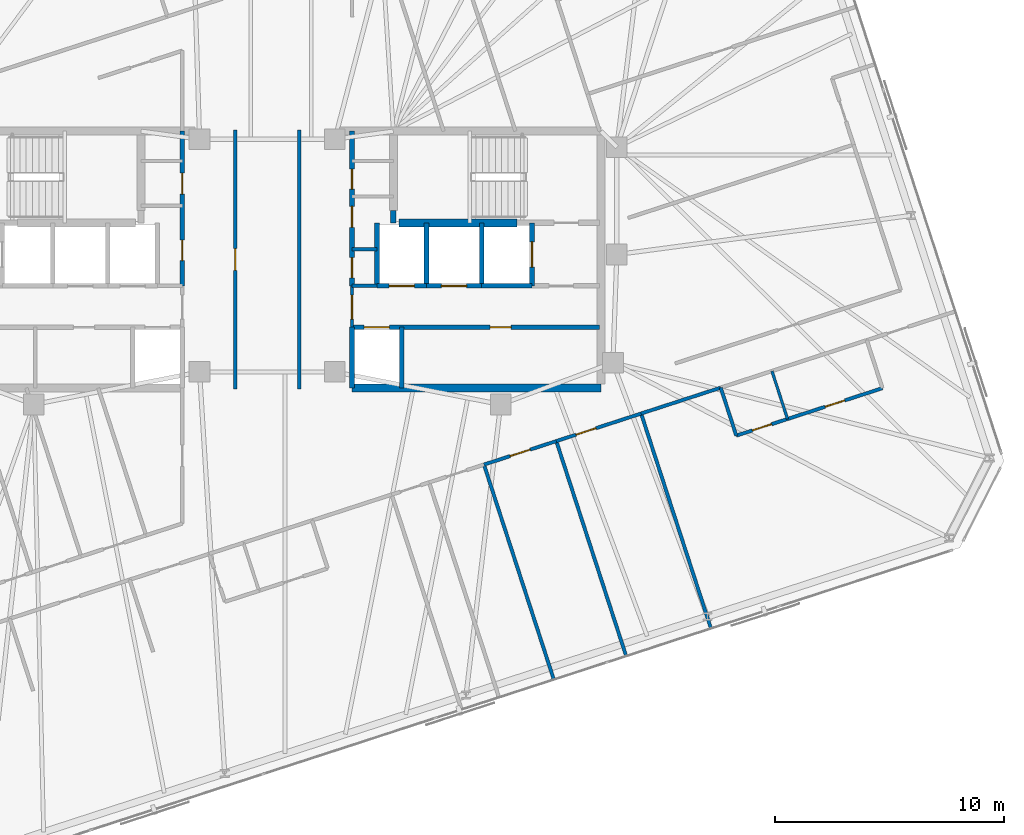
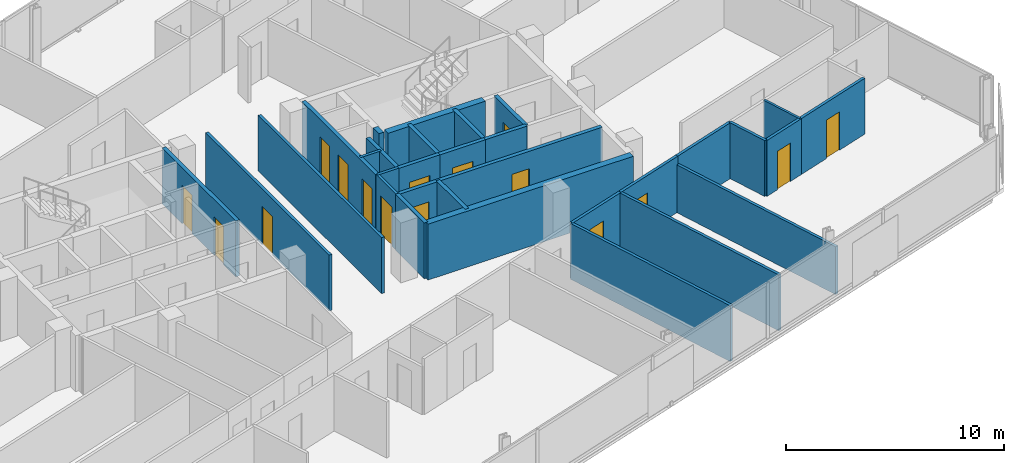
# One storey, part 15 of 19: 30 walls, 16 doors, 16 openings.
"""IFC4 building model written with IfcOpenShell, lengths in metres."""

from ifc_helpers import new_model, si_unit, direction, frame, frame_2d, origin, place, context, subcontext, project, spatial, rectangle, extrude, material, layer, layer_set, type_object, element, fill, save


model = new_model("IFC4")

# Units and contexts
model_context = context("Model", 3, precision=1e-05, world=origin(), true_north=direction((0.0, 1.0)))
body_context = subcontext(model_context, "Body", "Model", "MODEL_VIEW")
ifc_project = project(units=[si_unit("LENGTHUNIT", "METRE"), si_unit("AREAUNIT", "SQUARE_METRE"), si_unit("VOLUMEUNIT", "CUBIC_METRE"), si_unit("PLANEANGLEUNIT", "RADIAN"), si_unit("MASSUNIT", "GRAM", prefix="KILO")], contexts=[model_context])

# Site, building, storey
site_placement = place(None, origin())
site = spatial("IfcSite", under=ifc_project, at=site_placement, CompositionType="ELEMENT")
building_placement = place(site_placement, origin())
building = spatial("IfcBuilding", under=site, at=building_placement, Name="Menara Jurai Vektor", CompositionType="ELEMENT")
storey_placement = place(building_placement, frame((0.0, 0.0, 234.35009765625)))
storey = spatial("IfcBuildingStorey", under=building, at=storey_placement, Name="L62", CompositionType="ELEMENT", Elevation=234.35009765625)

# Wall
ifc_material_1 = material(Name="Concrete C40/50", Category="concrete")
ifc_layer_1 = layer(ifc_material_1, 0.25)
ifc_layer_set_1 = layer_set([ifc_layer_1], Name="Concrete C40/50")
wall_type_1 = type_object("IfcWallType", Name="INT-WALL-CORE-250", PredefinedType="STANDARD", material=ifc_layer_set_1)
wall_1_placement = place(storey_placement, frame((5.5, 1.60009765625, 0.0), z_axis=(0.0, 0.0, 1.0), x_axis=(0.0, 1.0, 0.0)))
element("IfcWall", 1, at=wall_1_placement, inside=storey, type_object=wall_type_1, Name="Interior Wall IW-250 L62", PredefinedType="STANDARD", context=body_context, shape_type="SweptSolid", body=[
    extrude(rectangle(XDim=0.5498046875, YDim=0.25, at=frame_2d((0.27490234375, 0.0))), origin(), (0.0, 0.0, 1.0), 3.125),
])

# Wall, opening, door
wall_2_placement = place(storey_placement, frame((11.550048828125, -1.14990234375, 0.0), z_axis=(0.0, 0.0, 1.0), x_axis=(0.0, 1.0, 0.0)))
wall_2 = element("IfcWall", 2, at=wall_2_placement, inside=storey, type_object=wall_type_1, Name="Interior Wall IW-250 L62", PredefinedType="STANDARD", context=body_context, shape_type="SweptSolid", body=[
    extrude(rectangle(XDim=2.75, YDim=0.199951171875, at=frame_2d((1.375, 0.0))), origin(), (0.0, 0.0, 1.0), 3.125),
])
opening_1_placement = place(wall_2_placement, frame((0.824951171875, 0.0, 0.0)))
opening_1 = element("IfcOpeningElement", 3, at=opening_1_placement, cuts=wall_2, Name="Opening LD-L62-FL2", PredefinedType="OPENING", context=body_context, shape_type="SweptSolid", body=[
    extrude(rectangle(XDim=1.10009765625, YDim=2.14990234375, at=frame_2d((0.550048828125, 1.074951171875))), frame((0.0, 0.10986328125, 0.0), z_axis=(0.0, -1.0, 0.0), x_axis=(1.0, 0.0, 0.0)), (0.0, 0.0, 1.0), 0.219970703125),
])
ifc_material_2 = material(Name="Stainless Steel Sliding Lift Landing Door", Category="steel")
door_type_1 = type_object("IfcDoorType", Name="DR-LIFT-FIRE-1100", OperationType="NOTDEFINED", PredefinedType="DOOR", material=ifc_material_2)
door_1_placement = place(opening_1_placement, origin())
door_1 = element("IfcDoor", 4, at=door_1_placement, inside=storey, type_object=door_type_1, Name="Lift Landing Door FL2 L62", OperationType="SLIDING_TO_RIGHT", OverallHeight=2.14990234375, OverallWidth=1.10009765625, PredefinedType="DOOR", context=body_context, shape_type="SweptSolid", body=[
    extrude(rectangle(XDim=1.10009765625, YDim=2.14990234375, at=frame_2d((0.550048828125, 1.074951171875))), frame((0.0, 0.02490234375, 0.0), z_axis=(0.0, -1.0, 0.0), x_axis=(1.0, 0.0, 0.0)), (0.0, 0.0, 1.0), 0.050048828125),
])
fill(opening_1, door_1)

# Walls
wall_3_placement = place(storey_placement, frame((9.35009765625, -1.14990234375, 0.0), z_axis=(0.0, 0.0, 1.0), x_axis=(0.0, 1.0, 0.0)))
element("IfcWall", 5, at=wall_3_placement, inside=storey, type_object=wall_type_1, Name="Interior Wall IW-250 L62", PredefinedType="STANDARD", context=body_context, shape_type="SweptSolid", body=[
    extrude(rectangle(XDim=2.75, YDim=0.199951171875, at=frame_2d((1.375, 0.0))), origin(), (0.0, 0.0, 1.0), 3.125),
])
wall_4_placement = place(storey_placement, frame((9.35009765625, -1.14990234375, 0.0), z_axis=(0.0, 0.0, 1.0), x_axis=(1.0, 0.0, 0.0)))
element("IfcWall", 6, at=wall_4_placement, inside=storey, type_object=wall_type_1, Name="Interior Wall IW-250 L62", PredefinedType="STANDARD", context=body_context, shape_type="SweptSolid", body=[
    extrude(rectangle(XDim=2.199951171875, YDim=0.199951171875, at=frame_2d((1.10009765625, 0.0))), origin(), (0.0, 0.0, 1.0), 3.125),
])

# Wall, opening, door
ifc_material_3 = material(Name="Gypsum Fireboard Partition", Category="gypsum")
ifc_layer_2 = layer(ifc_material_3, 0.14990234375)
ifc_layer_set_2 = layer_set([ifc_layer_2], Name="Gypsum Fireboard Partition")
wall_type_2 = type_object("IfcWallType", Name="INT-WALL-CORR-150", PredefinedType="PARTITIONING", material=ifc_layer_set_2)
wall_5_placement = place(storey_placement, frame((3.699951171875, -2.949951171875, 0.0), z_axis=(0.0, 0.0, 1.0), x_axis=(0.0, 1.0, 0.0)))
wall_5 = element("IfcWall", 7, at=wall_5_placement, inside=storey, type_object=wall_type_2, Name="Interior Wall IW-150 L62", PredefinedType="PARTITIONING", context=body_context, shape_type="SweptSolid", body=[
    extrude(rectangle(XDim=1.800048828125, YDim=0.14990234375, at=frame_2d((0.89990234375, 0.0))), origin(), (0.0, 0.0, 1.0), 3.125),
])
opening_2_placement = place(wall_5_placement, frame((0.35009765625, 0.0, 0.0)))
opening_2 = element("IfcOpeningElement", 8, at=opening_2_placement, cuts=wall_5, Name="Opening D-L62-LLE", PredefinedType="OPENING", context=body_context, shape_type="SweptSolid", body=[
    extrude(rectangle(XDim=1.050048828125, YDim=2.179931640625, at=frame_2d((0.52490234375, 1.08984375))), frame((0.0, 0.0849609375, 0.0), z_axis=(0.0, -1.0, 0.0), x_axis=(1.0, 0.0, 0.0)), (0.0, 0.0, 1.0), 0.169921875),
])
ifc_material_4 = material(Name="Fire-Rated Timber Door", Category="wood")
door_type_2 = type_object("IfcDoorType", Name="DR-LOBBY-1050", OperationType="NOTDEFINED", PredefinedType="DOOR", material=ifc_material_4)
door_2_placement = place(opening_2_placement, frame((1.050048828125, 0.0, 0.0), z_axis=(0.0, 0.0, 1.0), x_axis=(-1.0, 0.0, 0.0)))
door_2 = element("IfcDoor", 9, at=door_2_placement, inside=storey, type_object=door_type_2, Name="Lift Lobby Corridor Door E L62", OperationType="SINGLE_SWING_RIGHT", OverallHeight=2.179931640625, OverallWidth=1.050048828125, PredefinedType="DOOR", context=body_context, shape_type="SweptSolid", body=[
    extrude(rectangle(XDim=1.050048828125, YDim=2.179931640625, at=frame_2d((0.52490234375, 1.08984375))), frame((0.0, 0.02490234375, 0.0), z_axis=(0.0, -1.0, 0.0), x_axis=(1.0, 0.0, 0.0)), (0.0, 0.0, 1.0), 0.050048828125),
])
fill(opening_2, door_2)

# Walls
for number, where, z_axis, x_axis, name in (
    (10, (3.699951171875, -1.14990234375, 0.0), (0.0, 0.0, 1.0), (1.0, 0.0, 0.0), "Interior Wall IW-150 L62"),
    (11, (3.699951171875, 0.449951171875, 0.0), (0.0, 0.0, 1.0), (1.0, 0.0, 0.0), "Interior Wall IW-150 L62"),
):
    element("IfcWall", number, at=place(storey_placement, frame(where, z_axis=z_axis, x_axis=x_axis)), inside=storey, type_object=wall_type_2, Name=name, PredefinedType="PARTITIONING", context=body_context, shape_type="SweptSolid", body=[
        extrude(rectangle(XDim=1.090087890625, YDim=0.14990234375, at=frame_2d((0.544921875, 0.0))), origin(), (0.0, 0.0, 1.0), 3.125),
    ])

# Wall, opening, door
wall_6_placement = place(storey_placement, frame((-1.390625, -5.650146484375, 0.0), z_axis=(0.0, 0.0, 1.0), x_axis=(-8.6422954e-05, 0.999999996266, 0.0)))
wall_6 = element("IfcWall", 12, at=wall_6_placement, inside=storey, type_object=wall_type_2, Name="Interior Wall IW-150 L62", PredefinedType="PARTITIONING", context=body_context, shape_type="SweptSolid", body=[
    extrude(rectangle(XDim=11.2998046875, YDim=0.14990234375, at=frame_2d((5.64990234375, 0.0))), origin(), (0.0, 0.0, 1.0), 3.125),
])
opening_3_placement = place(wall_6_placement, frame((5.1748046875, 0.0, 0.0)))
opening_3 = element("IfcOpeningElement", 13, at=opening_3_placement, cuts=wall_6, Name="Opening D62-09", PredefinedType="OPENING", context=body_context, shape_type="SweptSolid", body=[
    extrude(rectangle(XDim=0.949951171875, YDim=2.14990234375, at=frame_2d((0.47509765625, 1.074951171875))), frame((0.0, 0.0849609375, 0.0), z_axis=(0.0, -1.0, 0.0), x_axis=(1.0, 0.0, 0.0)), (0.0, 0.0, 1.0), 0.169921875),
])
ifc_material_5 = material(Name="Solid Core Timber Fire Door", Category="wood")
door_type_3 = type_object("IfcDoorType", Name="DR-ENTRY-950", OperationType="NOTDEFINED", PredefinedType="DOOR", material=ifc_material_5)
door_3_placement = place(opening_3_placement, origin())
door_3 = element("IfcDoor", 14, at=door_3_placement, inside=storey, type_object=door_type_3, Name="Interior Door D62-09", OperationType="SINGLE_SWING_LEFT", OverallHeight=2.14990234375, OverallWidth=0.949951171875, PredefinedType="DOOR", context=body_context, shape_type="SweptSolid", body=[
    extrude(rectangle(XDim=0.949951171875, YDim=2.14990234375, at=frame_2d((0.47509765625, 1.074951171875))), frame((0.0, 0.02490234375, 0.0), z_axis=(0.0, -1.0, 0.0), x_axis=(1.0, 0.0, 0.0)), (0.0, 0.0, 1.0), 0.050048828125),
])
fill(opening_3, door_3)

# Walls
wall_7_placement = place(storey_placement, frame((1.39111328125, -5.6484375, 0.0), z_axis=(0.0, 0.0, 1.0), x_axis=(-4.3218947e-05, 0.999999999066, 0.0)))
element("IfcWall", 15, at=wall_7_placement, inside=storey, type_object=wall_type_2, Name="Interior Wall IW-150 L62", PredefinedType="PARTITIONING", context=body_context, shape_type="SweptSolid", body=[
    extrude(rectangle(XDim=11.2978515625, YDim=0.14990234375, at=frame_2d((5.64892578125, 0.0))), origin(), (0.0, 0.0, 1.0), 3.125),
])
wall_8_placement = place(storey_placement, frame((16.308837890625, -6.7158203125, 0.0), z_axis=(0.0, 0.0, 1.0), x_axis=(0.951057168147, 0.309014988174, 0.0)))
element("IfcWall", 16, at=wall_8_placement, inside=storey, type_object=wall_type_2, Name="Interior Wall IW-150 L62", PredefinedType="PARTITIONING", context=body_context, shape_type="SweptSolid", body=[
    extrude(rectangle(XDim=3.650146484375, YDim=0.14990234375, at=frame_2d((1.8251953125, 0.0))), origin(), (0.0, 0.0, 1.0), 3.125),
])

# Wall, opening, door
wall_9_placement = place(storey_placement, frame((9.45458984375, -8.94287109375, 0.0), z_axis=(0.0, 0.0, 1.0), x_axis=(0.951069760241, 0.30897623073, 0.0)))
wall_9 = element("IfcWall", 17, at=wall_9_placement, inside=storey, type_object=wall_type_2, Name="Interior Wall IW-150 L62", PredefinedType="PARTITIONING", context=body_context, shape_type="SweptSolid", body=[
    extrude(rectangle(XDim=3.317138671875, YDim=0.14990234375, at=frame_2d((1.65869140625, 0.0))), origin(), (0.0, 0.0, 1.0), 3.125),
])
opening_4_placement = place(wall_9_placement, frame((1.198486328125, 0.0, 0.0)))
opening_4 = element("IfcOpeningElement", 18, at=opening_4_placement, cuts=wall_9, Name="Opening D62-34", PredefinedType="OPENING", context=body_context, shape_type="SweptSolid", body=[
    extrude(rectangle(XDim=0.919921875, YDim=2.14990234375, at=frame_2d((0.4599609375, 1.074951171875))), frame((0.0, 0.0849609375, 0.0), z_axis=(0.0, -1.0, 0.0), x_axis=(1.0, 0.0, 0.0)), (0.0, 0.0, 1.0), 0.169921875),
])
door_4_placement = place(opening_4_placement, origin())
door_4 = element("IfcDoor", 19, at=door_4_placement, inside=storey, type_object=door_type_3, Name="Interior Door D62-34", OperationType="SINGLE_SWING_RIGHT", OverallHeight=2.14990234375, OverallWidth=0.919921875, PredefinedType="DOOR", context=body_context, shape_type="SweptSolid", body=[
    extrude(rectangle(XDim=0.919921875, YDim=2.14990234375, at=frame_2d((0.4599609375, 1.074951171875))), frame((0.0, 0.02490234375, 0.0), z_axis=(0.0, -1.0, 0.0), x_axis=(1.0, 0.0, 0.0)), (0.0, 0.0, 1.0), 0.050048828125),
])
fill(opening_4, door_4)

wall_10_placement = place(storey_placement, frame((12.609375, -7.91796875, 0.0), z_axis=(0.0, 0.0, 1.0), x_axis=(0.951047443558, 0.309044915995, 0.0)))
wall_10 = element("IfcWall", 20, at=wall_10_placement, inside=storey, type_object=wall_type_2, Name="Interior Wall IW-150 L62", PredefinedType="PARTITIONING", context=body_context, shape_type="SweptSolid", body=[
    extrude(rectangle(XDim=3.889892578125, YDim=0.14990234375, at=frame_2d((1.94482421875, 0.0))), origin(), (0.0, 0.0, 1.0), 3.125),
])
opening_5_placement = place(wall_10_placement, frame((0.901611328125, 0.0, 0.0)))
opening_5 = element("IfcOpeningElement", 21, at=opening_5_placement, cuts=wall_10, Name="Opening D62-35", PredefinedType="OPENING", context=body_context, shape_type="SweptSolid", body=[
    extrude(rectangle(XDim=0.919921875, YDim=2.14990234375, at=frame_2d((0.4599609375, 1.074951171875))), frame((0.0, 0.0849609375, 0.0), z_axis=(0.0, -1.0, 0.0), x_axis=(1.0, 0.0, 0.0)), (0.0, 0.0, 1.0), 0.169921875),
])
door_5_placement = place(opening_5_placement, origin())
door_5 = element("IfcDoor", 22, at=door_5_placement, inside=storey, type_object=door_type_3, Name="Interior Door D62-35", OperationType="SINGLE_SWING_LEFT", OverallHeight=2.14990234375, OverallWidth=0.919921875, PredefinedType="DOOR", context=body_context, shape_type="SweptSolid", body=[
    extrude(rectangle(XDim=0.919921875, YDim=2.14990234375, at=frame_2d((0.4599609375, 1.074951171875))), frame((0.0, 0.02490234375, 0.0), z_axis=(0.0, -1.0, 0.0), x_axis=(1.0, 0.0, 0.0)), (0.0, 0.0, 1.0), 0.050048828125),
])
fill(opening_5, door_5)

# Wall
wall_11_placement = place(storey_placement, frame((20.460205078125, -7.68017578125, 0.0), z_axis=(0.0, 0.0, 1.0), x_axis=(-0.309060979314, 0.951042223598, 0.0)))
element("IfcWall", 23, at=wall_11_placement, inside=storey, type_object=wall_type_2, Name="Interior Wall IW-150 L62", PredefinedType="PARTITIONING", context=body_context, shape_type="SweptSolid", body=[
    extrude(rectangle(XDim=2.199951171875, YDim=0.14990234375, at=frame_2d((1.10009765625, 0.0))), origin(), (0.0, 0.0, 1.0), 3.125),
])

# Wall, opening, door
wall_12_placement = place(storey_placement, frame((20.460205078125, -7.68017578125, 0.0), z_axis=(0.0, 0.0, 1.0), x_axis=(0.951066131077, 0.308987401554, 0.0)))
wall_12 = element("IfcWall", 24, at=wall_12_placement, inside=storey, type_object=wall_type_2, Name="Interior Wall IW-150 L62", PredefinedType="PARTITIONING", context=body_context, shape_type="SweptSolid", body=[
    extrude(rectangle(XDim=2.349853515625, YDim=0.14990234375, at=frame_2d((1.1748046875, 0.0))), origin(), (0.0, 0.0, 1.0), 3.125),
])
opening_6_placement = place(wall_12_placement, frame((0.735107421875, 0.0, 0.0)))
opening_6 = element("IfcOpeningElement", 25, at=opening_6_placement, cuts=wall_12, Name="Opening D62-23", PredefinedType="OPENING", context=body_context, shape_type="SweptSolid", body=[
    extrude(rectangle(XDim=0.8798828125, YDim=2.14990234375, at=frame_2d((0.43994140625, 1.074951171875))), frame((0.0, 0.0849609375, 0.0), z_axis=(0.0, -1.0, 0.0), x_axis=(1.0, 0.0, 0.0)), (0.0, 0.0, 1.0), 0.169921875),
])
ifc_material_6 = material(Name="Moisture-Resistant Timber Door", Category="wood")
door_type_4 = type_object("IfcDoorType", Name="DR-BATH-880", OperationType="NOTDEFINED", PredefinedType="DOOR", material=ifc_material_6)
door_6_placement = place(opening_6_placement, origin())
door_6 = element("IfcDoor", 26, at=door_6_placement, inside=storey, type_object=door_type_4, Name="Interior Door D62-23", OperationType="SINGLE_SWING_LEFT", OverallHeight=2.14990234375, OverallWidth=0.8798828125, PredefinedType="DOOR", context=body_context, shape_type="SweptSolid", body=[
    extrude(rectangle(XDim=0.8798828125, YDim=2.14990234375, at=frame_2d((0.43994140625, 1.074951171875))), frame((0.0, 0.02490234375, 0.0), z_axis=(0.0, -1.0, 0.0), x_axis=(1.0, 0.0, 0.0)), (0.0, 0.0, 1.0), 0.050048828125),
])
fill(opening_6, door_6)

wall_13_placement = place(storey_placement, frame((22.695068359375, -6.9541015625, 0.0), z_axis=(0.0, 0.0, 1.0), x_axis=(0.951057987102, 0.309012467661, 0.0)))
wall_13 = element("IfcWall", 27, at=wall_13_placement, inside=storey, type_object=wall_type_2, Name="Interior Wall IW-150 L62", PredefinedType="PARTITIONING", context=body_context, shape_type="SweptSolid", body=[
    extrude(rectangle(XDim=4.35009765625, YDim=0.14990234375, at=frame_2d((2.175048828125, 0.0))), origin(), (0.0, 0.0, 1.0), 3.125),
])
opening_7_placement = place(wall_13_placement, frame((1.72509765625, 0.0, 0.0)))
opening_7 = element("IfcOpeningElement", 28, at=opening_7_placement, cuts=wall_13, Name="Opening D62-24", PredefinedType="OPENING", context=body_context, shape_type="SweptSolid", body=[
    extrude(rectangle(XDim=0.89990234375, YDim=2.14990234375, at=frame_2d((0.449951171875, 1.074951171875))), frame((0.0, 0.0849609375, 0.0), z_axis=(0.0, -1.0, 0.0), x_axis=(1.0, 0.0, 0.0)), (0.0, 0.0, 1.0), 0.169921875),
])
ifc_material_7 = material(Name="Acoustic Timber Interior Door", Category="wood")
door_type_5 = type_object("IfcDoorType", Name="DR-ROOM-900", OperationType="NOTDEFINED", PredefinedType="DOOR", material=ifc_material_7)
door_7_placement = place(opening_7_placement, origin())
door_7 = element("IfcDoor", 29, at=door_7_placement, inside=storey, type_object=door_type_5, Name="Interior Door D62-24", OperationType="SINGLE_SWING_RIGHT", OverallHeight=2.14990234375, OverallWidth=0.89990234375, PredefinedType="DOOR", context=body_context, shape_type="SweptSolid", body=[
    extrude(rectangle(XDim=0.89990234375, YDim=2.14990234375, at=frame_2d((0.449951171875, 1.074951171875))), frame((0.0, 0.02490234375, 0.0), z_axis=(0.0, -1.0, 0.0), x_axis=(1.0, 0.0, 0.0)), (0.0, 0.0, 1.0), 0.050048828125),
])
fill(opening_7, door_7)

# Walls
wall_14_placement = place(storey_placement, frame((12.502197265625, -18.322265625, 0.0), z_axis=(0.0, 0.0, 1.0), x_axis=(-0.309022258842, 0.95105480575, 0.0)))
element("IfcWall", 30, at=wall_14_placement, inside=storey, type_object=wall_type_2, Name="Interior Wall IW-150 L62", PredefinedType="PARTITIONING", context=body_context, shape_type="SweptSolid", body=[
    extrude(rectangle(XDim=9.862060546875, YDim=0.14990234375, at=frame_2d((4.93115234375, 0.0))), origin(), (0.0, 0.0, 1.0), 3.125),
])
wall_15_placement = place(storey_placement, frame((15.656982421875, -17.297119140625, 0.0), z_axis=(0.0, 0.0, 1.0), x_axis=(-0.309029534558, 0.951052441651, 0.0)))
element("IfcWall", 31, at=wall_15_placement, inside=storey, type_object=wall_type_2, Name="Interior Wall IW-150 L62", PredefinedType="PARTITIONING", context=body_context, shape_type="SweptSolid", body=[
    extrude(rectangle(XDim=9.86181640625, YDim=0.14990234375, at=frame_2d((4.930908203125, 0.0))), origin(), (0.0, 0.0, 1.0), 3.125),
])
ifc_layer_3 = layer(ifc_material_3, 0.14990234375)
ifc_layer_set_3 = layer_set([ifc_layer_3], Name="Gypsum Fireboard Partition")
wall_type_3 = type_object("IfcWallType", Name="INT-WALL-CORR-150-H1", PredefinedType="PARTITIONING", material=ifc_layer_set_3)
wall_16_placement = place(storey_placement, frame((19.3564453125, -16.09521484375, 0.0), z_axis=(0.0, 0.0, 1.0), x_axis=(-0.309022258842, 0.95105480575, 0.0)))
element("IfcWall", 32, at=wall_16_placement, inside=storey, type_object=wall_type_3, Name="Interior Wall IW-150 L62", PredefinedType="PARTITIONING", context=body_context, shape_type="SweptSolid", body=[
    extrude(rectangle(XDim=9.862060546875, YDim=0.14990234375, at=frame_2d((4.93115234375, 0.0))), origin(), (0.0, 0.0, 1.0), 2.6748046875),
])
ifc_material_8 = material(Name="Gypsum Acoustic Stud Partition", Category="gypsum")
ifc_layer_4 = layer(ifc_material_8, 0.1201171875)
ifc_layer_set_4 = layer_set([ifc_layer_4], Name="Gypsum Acoustic Stud Partition")
wall_type_4 = type_object("IfcWallType", Name="INT-WALL-PART-120", PredefinedType="PARTITIONING", material=ifc_layer_set_4)
wall_17_placement = place(storey_placement, frame((22.695068359375, -6.9541015625, 0.0), z_axis=(0.0, 0.0, 1.0), x_axis=(-0.308960600764, 0.951074837842, 0.0)))
element("IfcWall", 33, at=wall_17_placement, inside=storey, type_object=wall_type_4, Name="Interior Wall IW-120 L62", PredefinedType="PARTITIONING", context=body_context, shape_type="SweptSolid", body=[
    extrude(rectangle(XDim=2.199951171875, YDim=0.1201171875, at=frame_2d((1.10009765625, 0.0))), origin(), (0.0, 0.0, 1.0), 3.125),
])

# Wall, openings, doors
ifc_layer_5 = layer(ifc_material_1, 0.199951171875)
ifc_layer_set_5 = layer_set([ifc_layer_5], Name="Concrete C40/50")
wall_type_5 = type_object("IfcWallType", Name="INT-WALL-SHAFT-200", PredefinedType="STANDARD", material=ifc_layer_set_5)
wall_18_placement = place(storey_placement, frame((-3.699951171875, -1.14990234375, 0.0), z_axis=(0.0, 0.0, 1.0), x_axis=(0.0, 1.0, 0.0)))
wall_18 = element("IfcWall", 34, at=wall_18_placement, inside=storey, type_object=wall_type_5, Name="Interior Wall IW-200 L62", PredefinedType="STANDARD", context=body_context, shape_type="SweptSolid", body=[
    extrude(rectangle(XDim=6.75, YDim=0.199951171875, at=frame_2d((3.375, 0.0))), origin(), (0.0, 0.0, 1.0), 3.125),
])
opening_8_placement = place(wall_18_placement, frame((1.10009765625, 0.0, 0.0)))
opening_8 = element("IfcOpeningElement", 35, at=opening_8_placement, cuts=wall_18, Name="Opening D62-03", PredefinedType="OPENING", context=body_context, shape_type="SweptSolid", body=[
    extrude(rectangle(XDim=0.89990234375, YDim=2.14990234375, at=frame_2d((0.449951171875, 1.074951171875))), frame((0.0, 0.10986328125, 0.0), z_axis=(0.0, -1.0, 0.0), x_axis=(1.0, 0.0, 0.0)), (0.0, 0.0, 1.0), 0.219970703125),
])
opening_9_placement = place(wall_18_placement, frame((4.0, 0.0, 0.0)))
opening_9 = element("IfcOpeningElement", 36, at=opening_9_placement, cuts=wall_18, Name="Opening D62-04", PredefinedType="OPENING", context=body_context, shape_type="SweptSolid", body=[
    extrude(rectangle(XDim=0.919921875, YDim=2.14990234375, at=frame_2d((0.4599609375, 1.074951171875))), frame((0.0, 0.10986328125, 0.0), z_axis=(0.0, -1.0, 0.0), x_axis=(1.0, 0.0, 0.0)), (0.0, 0.0, 1.0), 0.219970703125),
])
door_8_placement = place(opening_8_placement, origin())
door_8 = element("IfcDoor", 37, at=door_8_placement, inside=storey, type_object=door_type_3, Name="Interior Door D62-03", OperationType="SINGLE_SWING_LEFT", OverallHeight=2.14990234375, OverallWidth=0.89990234375, PredefinedType="DOOR", context=body_context, shape_type="SweptSolid", body=[
    extrude(rectangle(XDim=0.89990234375, YDim=2.14990234375, at=frame_2d((0.449951171875, 1.074951171875))), frame((0.0, 0.02490234375, 0.0), z_axis=(0.0, -1.0, 0.0), x_axis=(1.0, 0.0, 0.0)), (0.0, 0.0, 1.0), 0.050048828125),
])
fill(opening_8, door_8)
door_9_placement = place(opening_9_placement, origin())
door_9 = element("IfcDoor", 38, at=door_9_placement, inside=storey, type_object=door_type_3, Name="Interior Door D62-04", OperationType="SINGLE_SWING_LEFT", OverallHeight=2.14990234375, OverallWidth=0.919921875, PredefinedType="DOOR", context=body_context, shape_type="SweptSolid", body=[
    extrude(rectangle(XDim=0.919921875, YDim=2.14990234375, at=frame_2d((0.4599609375, 1.074951171875))), frame((0.0, 0.02490234375, 0.0), z_axis=(0.0, -1.0, 0.0), x_axis=(1.0, 0.0, 0.0)), (0.0, 0.0, 1.0), 0.050048828125),
])
fill(opening_9, door_9)

wall_19_placement = place(storey_placement, frame((3.699951171875, -1.14990234375, 0.0), z_axis=(0.0, 0.0, 1.0), x_axis=(0.0, 1.0, 0.0)))
wall_19 = element("IfcWall", 39, at=wall_19_placement, inside=storey, type_object=wall_type_5, Name="Interior Wall IW-200 L62", PredefinedType="STANDARD", context=body_context, shape_type="SweptSolid", body=[
    extrude(rectangle(XDim=6.75, YDim=0.199951171875, at=frame_2d((3.375, 0.0))), origin(), (0.0, 0.0, 1.0), 3.125),
])
opening_10_placement = place(wall_19_placement, frame((0.35009765625, 0.0, 0.0)))
opening_10 = element("IfcOpeningElement", 40, at=opening_10_placement, cuts=wall_19, Name="Opening D62-06", PredefinedType="OPENING", context=body_context, shape_type="SweptSolid", body=[
    extrude(rectangle(XDim=0.8798828125, YDim=2.14990234375, at=frame_2d((0.43994140625, 1.074951171875))), frame((0.0, 0.10986328125, 0.0), z_axis=(0.0, -1.0, 0.0), x_axis=(1.0, 0.0, 0.0)), (0.0, 0.0, 1.0), 0.219970703125),
])
opening_11_placement = place(wall_19_placement, frame((2.550048828125, 0.0, 0.0)))
opening_11 = element("IfcOpeningElement", 41, at=opening_11_placement, cuts=wall_19, Name="Opening D62-07", PredefinedType="OPENING", context=body_context, shape_type="SweptSolid", body=[
    extrude(rectangle(XDim=0.919921875, YDim=2.14990234375, at=frame_2d((0.4599609375, 1.074951171875))), frame((0.0, 0.10986328125, 0.0), z_axis=(0.0, -1.0, 0.0), x_axis=(1.0, 0.0, 0.0)), (0.0, 0.0, 1.0), 0.219970703125),
])
opening_12_placement = place(wall_19_placement, frame((4.219970703125, 0.0, 0.0)))
opening_12 = element("IfcOpeningElement", 42, at=opening_12_placement, cuts=wall_19, Name="Opening D62-08", PredefinedType="OPENING", context=body_context, shape_type="SweptSolid", body=[
    extrude(rectangle(XDim=0.8798828125, YDim=2.14990234375, at=frame_2d((0.43994140625, 1.074951171875))), frame((0.0, 0.10986328125, 0.0), z_axis=(0.0, -1.0, 0.0), x_axis=(1.0, 0.0, 0.0)), (0.0, 0.0, 1.0), 0.219970703125),
])
door_10_placement = place(opening_10_placement, origin())
door_10 = element("IfcDoor", 43, at=door_10_placement, inside=storey, type_object=door_type_3, Name="Interior Door D62-06", OperationType="SINGLE_SWING_RIGHT", OverallHeight=2.14990234375, OverallWidth=0.8798828125, PredefinedType="DOOR", context=body_context, shape_type="SweptSolid", body=[
    extrude(rectangle(XDim=0.8798828125, YDim=2.14990234375, at=frame_2d((0.43994140625, 1.074951171875))), frame((0.0, 0.02490234375, 0.0), z_axis=(0.0, -1.0, 0.0), x_axis=(1.0, 0.0, 0.0)), (0.0, 0.0, 1.0), 0.050048828125),
])
fill(opening_10, door_10)
door_11_placement = place(opening_11_placement, origin())
door_11 = element("IfcDoor", 44, at=door_11_placement, inside=storey, type_object=door_type_3, Name="Interior Door D62-07", OperationType="SINGLE_SWING_RIGHT", OverallHeight=2.14990234375, OverallWidth=0.919921875, PredefinedType="DOOR", context=body_context, shape_type="SweptSolid", body=[
    extrude(rectangle(XDim=0.919921875, YDim=2.14990234375, at=frame_2d((0.4599609375, 1.074951171875))), frame((0.0, 0.02490234375, 0.0), z_axis=(0.0, -1.0, 0.0), x_axis=(1.0, 0.0, 0.0)), (0.0, 0.0, 1.0), 0.050048828125),
])
fill(opening_11, door_11)
door_12_placement = place(opening_12_placement, origin())
door_12 = element("IfcDoor", 45, at=door_12_placement, inside=storey, type_object=door_type_3, Name="Interior Door D62-08", OperationType="SINGLE_SWING_RIGHT", OverallHeight=2.14990234375, OverallWidth=0.8798828125, PredefinedType="DOOR", context=body_context, shape_type="SweptSolid", body=[
    extrude(rectangle(XDim=0.8798828125, YDim=2.14990234375, at=frame_2d((0.43994140625, 1.074951171875))), frame((0.0, 0.02490234375, 0.0), z_axis=(0.0, -1.0, 0.0), x_axis=(1.0, 0.0, 0.0)), (0.0, 0.0, 1.0), 0.050048828125),
])
fill(opening_12, door_12)

# Walls
wall_20_placement = place(storey_placement, frame((3.699951171875, -5.60009765625, 0.0), z_axis=(0.0, 0.0, 1.0), x_axis=(0.0, 1.0, 0.0)))
element("IfcWall", 46, at=wall_20_placement, inside=storey, type_object=wall_type_5, Name="Interior Wall IW-200 L62", PredefinedType="STANDARD", context=body_context, shape_type="SweptSolid", body=[
    extrude(rectangle(XDim=2.650146484375, YDim=0.199951171875, at=frame_2d((1.3251953125, 0.0))), origin(), (0.0, 0.0, 1.0), 3.125),
])
wall_21_placement = place(storey_placement, frame((6.949951171875, -1.14990234375, 0.0), z_axis=(0.0, 0.0, 1.0), x_axis=(0.0, 1.0, 0.0)))
element("IfcWall", 47, at=wall_21_placement, inside=storey, type_object=wall_type_5, Name="Interior Wall IW-200 L62", PredefinedType="STANDARD", context=body_context, shape_type="SweptSolid", body=[
    extrude(rectangle(XDim=2.75, YDim=0.199951171875, at=frame_2d((1.375, 0.0))), origin(), (0.0, 0.0, 1.0), 3.125),
])

# Wall, opening, door
wall_22_placement = place(storey_placement, frame((6.949951171875, -1.14990234375, 0.0), z_axis=(0.0, 0.0, 1.0), x_axis=(1.0, 0.0, 0.0)))
wall_22 = element("IfcWall", 48, at=wall_22_placement, inside=storey, type_object=wall_type_5, Name="Interior Wall IW-200 L62", PredefinedType="STANDARD", context=body_context, shape_type="SweptSolid", body=[
    extrude(rectangle(XDim=2.400146484375, YDim=0.199951171875, at=frame_2d((1.2001953125, 0.0))), origin(), (0.0, 0.0, 1.0), 3.125),
])
opening_13_placement = place(wall_22_placement, frame((0.64990234375, 0.0, 0.0)))
opening_13 = element("IfcOpeningElement", 49, at=opening_13_placement, cuts=wall_22, Name="Opening LD-L62-SVL2", PredefinedType="OPENING", context=body_context, shape_type="SweptSolid", body=[
    extrude(rectangle(XDim=1.10009765625, YDim=2.14990234375, at=frame_2d((0.550048828125, 1.074951171875))), frame((0.0, 0.10986328125, 0.0), z_axis=(0.0, -1.0, 0.0), x_axis=(1.0, 0.0, 0.0)), (0.0, 0.0, 1.0), 0.219970703125),
])
ifc_material_9 = material(Name="Anodised Stainless Sliding Lift Landing Door", Category="steel")
door_type_6 = type_object("IfcDoorType", Name="DR-LIFT-PASS-1100", OperationType="NOTDEFINED", PredefinedType="DOOR", material=ifc_material_9)
door_13_placement = place(opening_13_placement, origin())
door_13 = element("IfcDoor", 50, at=door_13_placement, inside=storey, type_object=door_type_6, Name="Lift Landing Door SVL2 L62", OperationType="SLIDING_TO_RIGHT", OverallHeight=2.14990234375, OverallWidth=1.10009765625, PredefinedType="DOOR", context=body_context, shape_type="SweptSolid", body=[
    extrude(rectangle(XDim=1.10009765625, YDim=2.14990234375, at=frame_2d((0.550048828125, 1.074951171875))), frame((0.0, 0.02490234375, 0.0), z_axis=(0.0, -1.0, 0.0), x_axis=(1.0, 0.0, 0.0)), (0.0, 0.0, 1.0), 0.050048828125),
])
fill(opening_13, door_13)

# Wall
wall_23_placement = place(storey_placement, frame((4.7900390625, -1.14990234375, 0.0), z_axis=(0.0, 0.0, 1.0), x_axis=(0.0, 1.0, 0.0)))
element("IfcWall", 51, at=wall_23_placement, inside=storey, type_object=wall_type_5, Name="Interior Wall IW-200 L62", PredefinedType="STANDARD", context=body_context, shape_type="SweptSolid", body=[
    extrude(rectangle(XDim=2.75, YDim=0.199951171875, at=frame_2d((1.375, 0.0))), origin(), (0.0, 0.0, 1.0), 3.125),
])

# Wall, opening, door
wall_24_placement = place(storey_placement, frame((4.7900390625, -1.14990234375, 0.0), z_axis=(0.0, 0.0, 1.0), x_axis=(1.0, 0.0, 0.0)))
wall_24 = element("IfcWall", 52, at=wall_24_placement, inside=storey, type_object=wall_type_5, Name="Interior Wall IW-200 L62", PredefinedType="STANDARD", context=body_context, shape_type="SweptSolid", body=[
    extrude(rectangle(XDim=2.159912109375, YDim=0.199951171875, at=frame_2d((1.080078125, 0.0))), origin(), (0.0, 0.0, 1.0), 3.125),
])
opening_14_placement = place(wall_24_placement, frame((0.530029296875, 0.0, 0.0)))
opening_14 = element("IfcOpeningElement", 53, at=opening_14_placement, cuts=wall_24, Name="Opening LD-L62-PH4", PredefinedType="OPENING", context=body_context, shape_type="SweptSolid", body=[
    extrude(rectangle(XDim=1.10009765625, YDim=2.14990234375, at=frame_2d((0.550048828125, 1.074951171875))), frame((0.0, 0.10986328125, 0.0), z_axis=(0.0, -1.0, 0.0), x_axis=(1.0, 0.0, 0.0)), (0.0, 0.0, 1.0), 0.219970703125),
])
door_14_placement = place(opening_14_placement, origin())
door_14 = element("IfcDoor", 54, at=door_14_placement, inside=storey, type_object=door_type_6, Name="Lift Landing Door PH4 L62", OperationType="SLIDING_TO_LEFT", OverallHeight=2.14990234375, OverallWidth=1.10009765625, PredefinedType="DOOR", context=body_context, shape_type="SweptSolid", body=[
    extrude(rectangle(XDim=1.10009765625, YDim=2.14990234375, at=frame_2d((0.550048828125, 1.074951171875))), frame((0.0, 0.02490234375, 0.0), z_axis=(0.0, -1.0, 0.0), x_axis=(1.0, 0.0, 0.0)), (0.0, 0.0, 1.0), 0.050048828125),
])
fill(opening_14, door_14)

# Wall, openings, doors
wall_25_placement = place(storey_placement, frame((3.699951171875, -2.949951171875, 0.0), z_axis=(0.0, 0.0, 1.0), x_axis=(1.0, 0.0, 0.0)))
wall_25 = element("IfcWall", 55, at=wall_25_placement, inside=storey, type_object=wall_type_5, Name="Interior Wall IW-200 L62", PredefinedType="STANDARD", context=body_context, shape_type="SweptSolid", body=[
    extrude(rectangle(XDim=10.800048828125, YDim=0.199951171875, at=frame_2d((5.39990234375, 0.0))), origin(), (0.0, 0.0, 1.0), 3.125),
])
opening_15_placement = place(wall_25_placement, frame((0.530029296875, 0.0, 0.0)))
opening_15 = element("IfcOpeningElement", 56, at=opening_15_placement, cuts=wall_25, Name="Opening LD-L62-PH3", PredefinedType="OPENING", context=body_context, shape_type="SweptSolid", body=[
    extrude(rectangle(XDim=1.10009765625, YDim=2.14990234375, at=frame_2d((0.550048828125, 1.074951171875))), frame((0.0, 0.10986328125, 0.0), z_axis=(0.0, -1.0, 0.0), x_axis=(1.0, 0.0, 0.0)), (0.0, 0.0, 1.0), 0.219970703125),
])
opening_16_placement = place(wall_25_placement, frame((6.02001953125, 0.0, 0.0)))
opening_16 = element("IfcOpeningElement", 57, at=opening_16_placement, cuts=wall_25, Name="Opening D62-05", PredefinedType="OPENING", context=body_context, shape_type="SweptSolid", body=[
    extrude(rectangle(XDim=0.919921875, YDim=2.14990234375, at=frame_2d((0.4599609375, 1.074951171875))), frame((0.0, 0.10986328125, 0.0), z_axis=(0.0, -1.0, 0.0), x_axis=(1.0, 0.0, 0.0)), (0.0, 0.0, 1.0), 0.219970703125),
])
door_15_placement = place(opening_16_placement, origin())
door_15 = element("IfcDoor", 58, at=door_15_placement, inside=storey, type_object=door_type_3, Name="Interior Door D62-05", OperationType="SINGLE_SWING_LEFT", OverallHeight=2.14990234375, OverallWidth=0.919921875, PredefinedType="DOOR", context=body_context, shape_type="SweptSolid", body=[
    extrude(rectangle(XDim=0.919921875, YDim=2.14990234375, at=frame_2d((0.4599609375, 1.074951171875))), frame((0.0, 0.02490234375, 0.0), z_axis=(0.0, -1.0, 0.0), x_axis=(1.0, 0.0, 0.0)), (0.0, 0.0, 1.0), 0.050048828125),
])
fill(opening_16, door_15)
door_16_placement = place(opening_15_placement, origin())
door_16 = element("IfcDoor", 59, at=door_16_placement, inside=storey, type_object=door_type_6, Name="Lift Landing Door PH3 L62", OperationType="SLIDING_TO_RIGHT", OverallHeight=2.14990234375, OverallWidth=1.10009765625, PredefinedType="DOOR", context=body_context, shape_type="SweptSolid", body=[
    extrude(rectangle(XDim=1.10009765625, YDim=2.14990234375, at=frame_2d((0.550048828125, 1.074951171875))), frame((0.0, 0.02490234375, 0.0), z_axis=(0.0, -1.0, 0.0), x_axis=(1.0, 0.0, 0.0)), (0.0, 0.0, 1.0), 0.050048828125),
])
fill(opening_15, door_16)

# Walls
wall_26_placement = place(storey_placement, frame((5.860107421875, -5.60009765625, 0.0), z_axis=(0.0, 0.0, 1.0), x_axis=(0.0, 1.0, 0.0)))
element("IfcWall", 60, at=wall_26_placement, inside=storey, type_object=wall_type_5, Name="Interior Wall IW-200 L62", PredefinedType="STANDARD", context=body_context, shape_type="SweptSolid", body=[
    extrude(rectangle(XDim=2.650146484375, YDim=0.199951171875, at=frame_2d((1.3251953125, 0.0))), origin(), (0.0, 0.0, 1.0), 3.125),
])
ifc_material_10 = material(Name="Concrete C50/60", Category="concrete")
ifc_layer_6 = layer(ifc_material_10, 0.35009765625)
ifc_layer_set_6 = layer_set([ifc_layer_6], Name="Concrete C50/60")
wall_type_6 = type_object("IfcWallType", Name="STR-WALL-CORE350", PredefinedType="SHEAR", material=ifc_layer_set_6)
wall_27_placement = place(storey_placement, frame((3.699951171875, -5.60009765625, 0.0), z_axis=(0.0, 0.0, 1.0), x_axis=(1.0, 0.0, 0.0)))
element("IfcWall", 61, at=wall_27_placement, inside=storey, type_object=wall_type_6, Name="Core Shear Wall CW-E-S L62", PredefinedType="SHEAR", context=body_context, shape_type="SweptSolid", body=[
    extrude(rectangle(XDim=10.860107421875, YDim=0.35009765625, at=frame_2d((5.43017578125, 0.0))), origin(), (0.0, 0.0, 1.0), 3.125),
])
wall_28_placement = place(storey_placement, frame((5.75, 1.60009765625, 0.0), z_axis=(0.0, 0.0, 1.0), x_axis=(1.0, 0.0, 0.0)))
element("IfcWall", 62, at=wall_28_placement, inside=storey, type_object=wall_type_6, Name="Core Shear Wall CW-E-STS L62", PredefinedType="SHEAR", context=body_context, shape_type="SweptSolid", body=[
    extrude(rectangle(XDim=5.14990234375, YDim=0.35009765625, at=frame_2d((2.574951171875, 0.0))), origin(), (0.0, 0.0, 1.0), 3.125),
])

save(model, "model.ifc")
